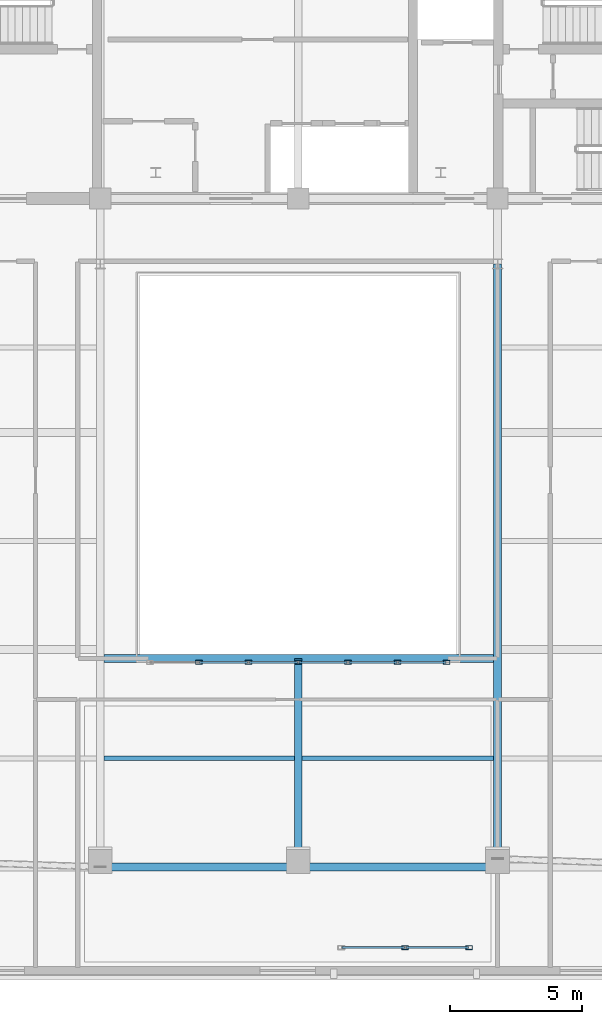
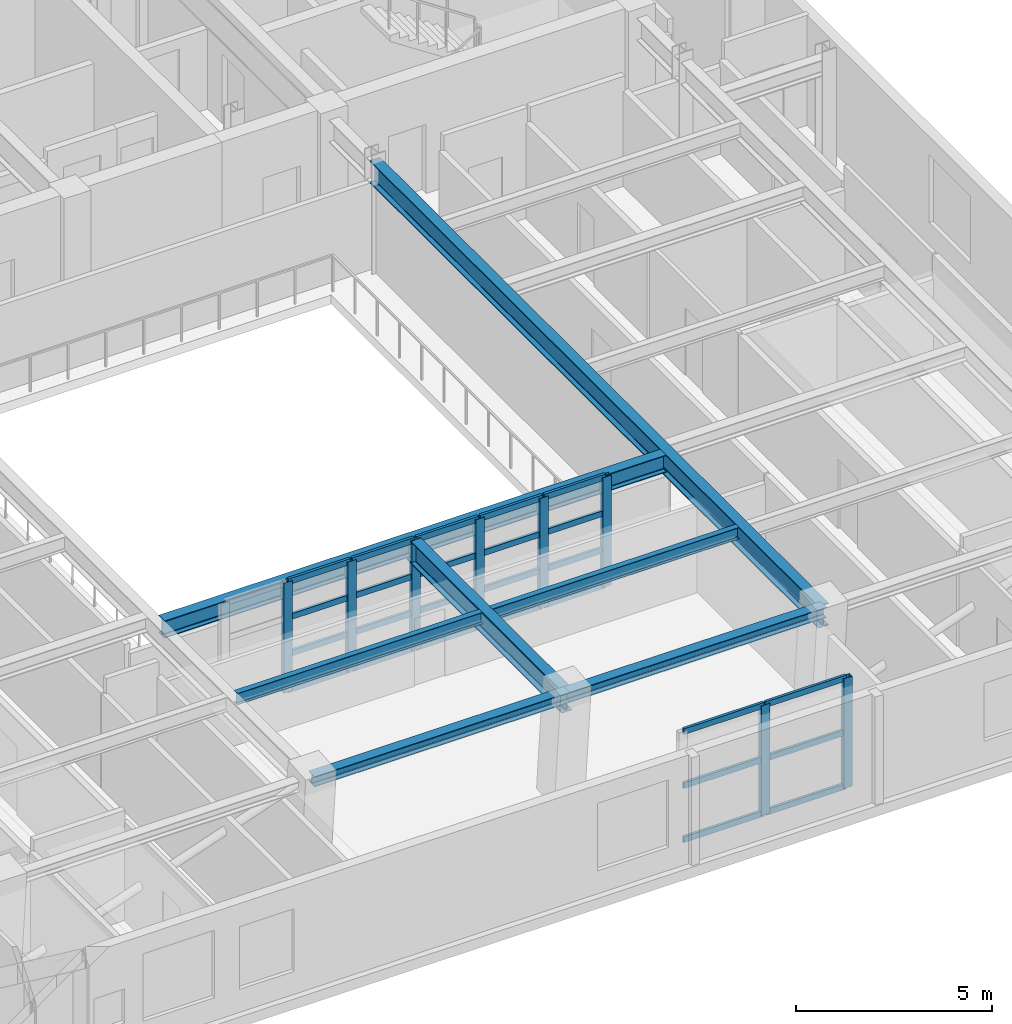
# One storey, part 3 of 14: 34 members, 7 beams, 2 elements without a shape of their own.
"""IFC4 building model written with IfcOpenShell, lengths in metres."""

from ifc_helpers import new_model, si_unit, direction, frame, origin, origin_2d, place, context, subcontext, project, spatial, hollow_rectangle, i_section, extrude, material, layer, layer_set, material_profile, profile_set, type_object, element, aggregate, save


model = new_model("IFC4")

# Units and contexts
model_context = context("Model", 3, precision=1e-05, world=origin(), true_north=direction((0.0, 1.0)))
body_context = subcontext(model_context, "Body", "Model", "MODEL_VIEW")
ifc_project = project(units=[si_unit("LENGTHUNIT", "METRE"), si_unit("AREAUNIT", "SQUARE_METRE"), si_unit("VOLUMEUNIT", "CUBIC_METRE"), si_unit("PLANEANGLEUNIT", "RADIAN"), si_unit("MASSUNIT", "GRAM", prefix="KILO")], contexts=[model_context])

# Site, building, storey
site_placement = place(None, origin())
site = spatial("IfcSite", under=ifc_project, at=site_placement, CompositionType="ELEMENT")
building_placement = place(site_placement, origin())
building = spatial("IfcBuilding", under=site, at=building_placement, Name="Zarnavel Station Tower", CompositionType="ELEMENT")
storey_placement = place(building_placement, frame((0.0, 0.0, 258.39990234375)))
storey = spatial("IfcBuildingStorey", under=building, at=storey_placement, Name="L70", CompositionType="ELEMENT", Elevation=258.39990234375)

# Curtain wall, members
ifc_material_1 = material(Name="Aluminium Dark Anodised and Solar-Control Glass", Category="aluminium")
ifc_layer = layer(ifc_material_1, 0.179931640625)
ifc_layer_set = layer_set([ifc_layer], Name="CWS6")
curtain_wall_type = type_object("IfcCurtainWallType", Name="CWS6", PredefinedType="NOTDEFINED", material=ifc_layer_set)
curtain_wall_1_placement = place(storey_placement, origin())
curtain_wall_1 = element("IfcCurtainWall", 1, at=curtain_wall_1_placement, inside=storey, type_object=curtain_wall_type, Name="L70 Curtain Wall CWS6-LOG-L70", PredefinedType="NOTDEFINED")
ifc_material_2 = material(Name="Steel S355J2 (Black Fluoropolymer Coated)", Category="steel")
ifc_material_profile_1 = material_profile(ifc_material_2, hollow_rectangle(XDim=0.14990234375, YDim=0.25, WallThickness=0.010009765625, at=origin_2d()), Name="RHS250x150x10")
ifc_profile_set_1 = profile_set([ifc_material_profile_1], Name="Steel S355J2 (Black Fluoropolymer Coated)")
member_type_1 = type_object("IfcMemberType", Name="CWS6_MUL", PredefinedType="MULLION", material=ifc_profile_set_1)
member_1_placement = place(storey_placement, frame((32.85009765625, -0.550048828125, 0.0), z_axis=(0.0, 0.0, 1.0), x_axis=(0.0, 1.0, 0.0)))
member_1 = element("IfcMember", 2, at=member_1_placement, type_object=member_type_1, Name="CW6 mullion 2", PredefinedType="MULLION", context=body_context, shape_type="SweptSolid", body=[
    extrude(hollow_rectangle(XDim=0.14990234375, YDim=0.25, WallThickness=0.010009765625, at=origin_2d()), origin(), (0.0, 0.0, 1.0), 3.420166015625),
])
member_2_placement = place(storey_placement, frame((35.27001953125, -0.550048828125, 0.0), z_axis=(0.0, 0.0, 1.0), x_axis=(0.0, 1.0, 0.0)))
member_2 = element("IfcMember", 3, at=member_2_placement, type_object=member_type_1, Name="CW6 mullion 3", PredefinedType="MULLION", context=body_context, shape_type="SweptSolid", body=[
    extrude(hollow_rectangle(XDim=0.14990234375, YDim=0.25, WallThickness=0.010009765625, at=origin_2d()), origin(), (0.0, 0.0, 1.0), 3.420166015625),
])

curtain_wall_2_placement = place(storey_placement, origin())
curtain_wall_2 = element("IfcCurtainWall", 4, at=curtain_wall_2_placement, inside=storey, type_object=curtain_wall_type, Name="L70 Curtain Wall CWS6-L70-AS", PredefinedType="NOTDEFINED")
member_3_placement = place(storey_placement, frame((25.033447265625, 10.25, 0.0), z_axis=(0.0, 0.0, 1.0), x_axis=(0.0, 1.0, 0.0)))
member_3 = element("IfcMember", 5, at=member_3_placement, type_object=member_type_1, Name="CW6 mullion 2", PredefinedType="MULLION", context=body_context, shape_type="SweptSolid", body=[
    extrude(hollow_rectangle(XDim=0.14990234375, YDim=0.25, WallThickness=0.010009765625, at=origin_2d()), origin(), (0.0, 0.0, 1.0), 3.420166015625),
])
member_4_placement = place(storey_placement, frame((26.916748046875, 10.25, 0.0), z_axis=(0.0, 0.0, 1.0), x_axis=(0.0, 1.0, 0.0)))
member_4 = element("IfcMember", 6, at=member_4_placement, type_object=member_type_1, Name="CW6 mullion 3", PredefinedType="MULLION", context=body_context, shape_type="SweptSolid", body=[
    extrude(hollow_rectangle(XDim=0.14990234375, YDim=0.25, WallThickness=0.010009765625, at=origin_2d()), origin(), (0.0, 0.0, 1.0), 3.420166015625),
])
member_5_placement = place(storey_placement, frame((28.800048828125, 10.25, 0.0), z_axis=(0.0, 0.0, 1.0), x_axis=(0.0, 1.0, 0.0)))
member_5 = element("IfcMember", 7, at=member_5_placement, type_object=member_type_1, Name="CW6 mullion 4", PredefinedType="MULLION", context=body_context, shape_type="SweptSolid", body=[
    extrude(hollow_rectangle(XDim=0.14990234375, YDim=0.25, WallThickness=0.010009765625, at=origin_2d()), origin(), (0.0, 0.0, 1.0), 3.420166015625),
])
member_6_placement = place(storey_placement, frame((30.683349609375, 10.25, 0.0), z_axis=(0.0, 0.0, 1.0), x_axis=(0.0, 1.0, 0.0)))
member_6 = element("IfcMember", 8, at=member_6_placement, type_object=member_type_1, Name="CW6 mullion 5", PredefinedType="MULLION", context=body_context, shape_type="SweptSolid", body=[
    extrude(hollow_rectangle(XDim=0.14990234375, YDim=0.25, WallThickness=0.010009765625, at=origin_2d()), origin(), (0.0, 0.0, 1.0), 3.420166015625),
])
member_7_placement = place(storey_placement, frame((32.566650390625, 10.25, 0.0), z_axis=(0.0, 0.0, 1.0), x_axis=(0.0, 1.0, 0.0)))
member_7 = element("IfcMember", 9, at=member_7_placement, type_object=member_type_1, Name="CW6 mullion 6", PredefinedType="MULLION", context=body_context, shape_type="SweptSolid", body=[
    extrude(hollow_rectangle(XDim=0.14990234375, YDim=0.25, WallThickness=0.010009765625, at=origin_2d()), origin(), (0.0, 0.0, 1.0), 3.420166015625),
])
member_8_placement = place(storey_placement, frame((34.419921875, 10.25, 0.0), z_axis=(0.0, 0.0, 1.0), x_axis=(0.0, 1.0, 0.0)))
member_8 = element("IfcMember", 10, at=member_8_placement, type_object=member_type_1, Name="CW6 mullion 7", PredefinedType="MULLION", context=body_context, shape_type="SweptSolid", body=[
    extrude(hollow_rectangle(XDim=0.14990234375, YDim=0.25, WallThickness=0.010009765625, at=origin_2d()), origin(), (0.0, 0.0, 1.0), 3.420166015625),
])

# Member
ifc_material_3 = material(Name="Steel S355J2 (Black Fluoropolymer Coated)", Category="steel")
ifc_material_profile_2 = material_profile(ifc_material_3, hollow_rectangle(XDim=0.080078125, YDim=0.179931640625, WallThickness=0.00634765625, at=origin_2d()), Name="RHS180x80x6.3")
ifc_profile_set_2 = profile_set([ifc_material_profile_2], Name="Steel S355J2 (Black Fluoropolymer Coated)")
member_type_2 = type_object("IfcMemberType", Name="CWS6_TRN", PredefinedType="USERDEFINED", material=ifc_profile_set_2)
member_9_placement = place(storey_placement, frame((30.4599609375, -0.550048828125, 0.030029296875), z_axis=(1.0, 0.0, 0.0), x_axis=(0.0, 1.0, 0.0)))
member_9 = element("IfcMember", 11, at=member_9_placement, type_object=member_type_2, Name="CW6 transom 1.1", ObjectType="TRANSOM", PredefinedType="USERDEFINED", context=body_context, shape_type="SweptSolid", body=[
    extrude(hollow_rectangle(XDim=0.080078125, YDim=0.179931640625, WallThickness=0.00634765625, at=origin_2d()), origin(), (0.0, 0.0, 1.0), 2.360107421875),
])

member_10_placement = place(storey_placement, frame((30.4599609375, -0.550048828125, 1.710205078125), z_axis=(1.0, 0.0, 0.0), x_axis=(0.0, 1.0, 0.0)))
member_10 = element("IfcMember", 12, at=member_10_placement, type_object=member_type_2, Name="CW6 transom 1.2", ObjectType="TRANSOM", PredefinedType="USERDEFINED", context=body_context, shape_type="SweptSolid", body=[
    extrude(hollow_rectangle(XDim=0.080078125, YDim=0.179931640625, WallThickness=0.00634765625, at=origin_2d()), origin(), (0.0, 0.0, 1.0), 2.360107421875),
])

member_11_placement = place(storey_placement, frame((30.4599609375, -0.550048828125, 3.39013671875), z_axis=(1.0, 0.0, 0.0), x_axis=(0.0, 1.0, 0.0)))
member_11 = element("IfcMember", 13, at=member_11_placement, type_object=member_type_2, Name="CW6 transom 1.3", ObjectType="TRANSOM", PredefinedType="USERDEFINED", context=body_context, shape_type="SweptSolid", body=[
    extrude(hollow_rectangle(XDim=0.080078125, YDim=0.179931640625, WallThickness=0.00634765625, at=origin_2d()), origin(), (0.0, 0.0, 1.0), 2.360107421875),
])

member_12_placement = place(storey_placement, frame((32.8798828125, -0.550048828125, 0.030029296875), z_axis=(1.0, 0.0, 0.0), x_axis=(0.0, 1.0, 0.0)))
member_12 = element("IfcMember", 14, at=member_12_placement, type_object=member_type_2, Name="CW6 transom 2.1", ObjectType="TRANSOM", PredefinedType="USERDEFINED", context=body_context, shape_type="SweptSolid", body=[
    extrude(hollow_rectangle(XDim=0.080078125, YDim=0.179931640625, WallThickness=0.00634765625, at=origin_2d()), origin(), (0.0, 0.0, 1.0), 2.360107421875),
])

member_13_placement = place(storey_placement, frame((32.8798828125, -0.550048828125, 1.710205078125), z_axis=(1.0, 0.0, 0.0), x_axis=(0.0, 1.0, 0.0)))
member_13 = element("IfcMember", 15, at=member_13_placement, type_object=member_type_2, Name="CW6 transom 2.2", ObjectType="TRANSOM", PredefinedType="USERDEFINED", context=body_context, shape_type="SweptSolid", body=[
    extrude(hollow_rectangle(XDim=0.080078125, YDim=0.179931640625, WallThickness=0.00634765625, at=origin_2d()), origin(), (0.0, 0.0, 1.0), 2.360107421875),
])

member_14_placement = place(storey_placement, frame((32.8798828125, -0.550048828125, 3.39013671875), z_axis=(1.0, 0.0, 0.0), x_axis=(0.0, 1.0, 0.0)))
member_14 = element("IfcMember", 16, at=member_14_placement, type_object=member_type_2, Name="CW6 transom 2.3", ObjectType="TRANSOM", PredefinedType="USERDEFINED", context=body_context, shape_type="SweptSolid", body=[
    extrude(hollow_rectangle(XDim=0.080078125, YDim=0.179931640625, WallThickness=0.00634765625, at=origin_2d()), origin(), (0.0, 0.0, 1.0), 2.360107421875),
])

aggregate(curtain_wall_1, [member_1, member_2, member_9, member_10, member_11, member_12, member_13, member_14])

member_15_placement = place(storey_placement, frame((25.063232421875, 10.25, 0.030029296875), z_axis=(1.0, 0.0, 0.0), x_axis=(0.0, 1.0, 0.0)))
member_15 = element("IfcMember", 17, at=member_15_placement, type_object=member_type_2, Name="CW6 transom 2.1", ObjectType="TRANSOM", PredefinedType="USERDEFINED", context=body_context, shape_type="SweptSolid", body=[
    extrude(hollow_rectangle(XDim=0.080078125, YDim=0.179931640625, WallThickness=0.00634765625, at=origin_2d()), origin(), (0.0, 0.0, 1.0), 1.823486328125),
])

member_16_placement = place(storey_placement, frame((25.063232421875, 10.25, 1.14013671875), z_axis=(1.0, 0.0, 0.0), x_axis=(0.0, 1.0, 0.0)))
member_16 = element("IfcMember", 18, at=member_16_placement, type_object=member_type_2, Name="CW6 transom 2.2", ObjectType="TRANSOM", PredefinedType="USERDEFINED", context=body_context, shape_type="SweptSolid", body=[
    extrude(hollow_rectangle(XDim=0.080078125, YDim=0.179931640625, WallThickness=0.00634765625, at=origin_2d()), origin(), (0.0, 0.0, 1.0), 1.823486328125),
])

member_17_placement = place(storey_placement, frame((25.063232421875, 10.25, 2.280029296875), z_axis=(1.0, 0.0, 0.0), x_axis=(0.0, 1.0, 0.0)))
member_17 = element("IfcMember", 19, at=member_17_placement, type_object=member_type_2, Name="CW6 transom 2.3", ObjectType="TRANSOM", PredefinedType="USERDEFINED", context=body_context, shape_type="SweptSolid", body=[
    extrude(hollow_rectangle(XDim=0.080078125, YDim=0.179931640625, WallThickness=0.00634765625, at=origin_2d()), origin(), (0.0, 0.0, 1.0), 1.823486328125),
])

member_18_placement = place(storey_placement, frame((25.063232421875, 10.25, 3.39013671875), z_axis=(1.0, 0.0, 0.0), x_axis=(0.0, 1.0, 0.0)))
member_18 = element("IfcMember", 20, at=member_18_placement, type_object=member_type_2, Name="CW6 transom 2.4", ObjectType="TRANSOM", PredefinedType="USERDEFINED", context=body_context, shape_type="SweptSolid", body=[
    extrude(hollow_rectangle(XDim=0.080078125, YDim=0.179931640625, WallThickness=0.00634765625, at=origin_2d()), origin(), (0.0, 0.0, 1.0), 1.823486328125),
])

member_19_placement = place(storey_placement, frame((26.94677734375, 10.25, 0.030029296875), z_axis=(1.0, 0.0, 0.0), x_axis=(0.0, 1.0, 0.0)))
member_19 = element("IfcMember", 21, at=member_19_placement, type_object=member_type_2, Name="CW6 transom 3.1", ObjectType="TRANSOM", PredefinedType="USERDEFINED", context=body_context, shape_type="SweptSolid", body=[
    extrude(hollow_rectangle(XDim=0.080078125, YDim=0.179931640625, WallThickness=0.00634765625, at=origin_2d()), origin(), (0.0, 0.0, 1.0), 1.8232421875),
])

member_20_placement = place(storey_placement, frame((26.94677734375, 10.25, 1.14013671875), z_axis=(1.0, 0.0, 0.0), x_axis=(0.0, 1.0, 0.0)))
member_20 = element("IfcMember", 22, at=member_20_placement, type_object=member_type_2, Name="CW6 transom 3.2", ObjectType="TRANSOM", PredefinedType="USERDEFINED", context=body_context, shape_type="SweptSolid", body=[
    extrude(hollow_rectangle(XDim=0.080078125, YDim=0.179931640625, WallThickness=0.00634765625, at=origin_2d()), origin(), (0.0, 0.0, 1.0), 1.8232421875),
])

member_21_placement = place(storey_placement, frame((26.94677734375, 10.25, 2.280029296875), z_axis=(1.0, 0.0, 0.0), x_axis=(0.0, 1.0, 0.0)))
member_21 = element("IfcMember", 23, at=member_21_placement, type_object=member_type_2, Name="CW6 transom 3.3", ObjectType="TRANSOM", PredefinedType="USERDEFINED", context=body_context, shape_type="SweptSolid", body=[
    extrude(hollow_rectangle(XDim=0.080078125, YDim=0.179931640625, WallThickness=0.00634765625, at=origin_2d()), origin(), (0.0, 0.0, 1.0), 1.8232421875),
])

member_22_placement = place(storey_placement, frame((26.94677734375, 10.25, 3.39013671875), z_axis=(1.0, 0.0, 0.0), x_axis=(0.0, 1.0, 0.0)))
member_22 = element("IfcMember", 24, at=member_22_placement, type_object=member_type_2, Name="CW6 transom 3.4", ObjectType="TRANSOM", PredefinedType="USERDEFINED", context=body_context, shape_type="SweptSolid", body=[
    extrude(hollow_rectangle(XDim=0.080078125, YDim=0.179931640625, WallThickness=0.00634765625, at=origin_2d()), origin(), (0.0, 0.0, 1.0), 1.8232421875),
])

member_23_placement = place(storey_placement, frame((28.830078125, 10.25, 0.030029296875), z_axis=(1.0, 0.0, 0.0), x_axis=(0.0, 1.0, 0.0)))
member_23 = element("IfcMember", 25, at=member_23_placement, type_object=member_type_2, Name="CW6 transom 4.1", ObjectType="TRANSOM", PredefinedType="USERDEFINED", context=body_context, shape_type="SweptSolid", body=[
    extrude(hollow_rectangle(XDim=0.080078125, YDim=0.179931640625, WallThickness=0.00634765625, at=origin_2d()), origin(), (0.0, 0.0, 1.0), 1.8232421875),
])

member_24_placement = place(storey_placement, frame((28.830078125, 10.25, 1.14013671875), z_axis=(1.0, 0.0, 0.0), x_axis=(0.0, 1.0, 0.0)))
member_24 = element("IfcMember", 26, at=member_24_placement, type_object=member_type_2, Name="CW6 transom 4.2", ObjectType="TRANSOM", PredefinedType="USERDEFINED", context=body_context, shape_type="SweptSolid", body=[
    extrude(hollow_rectangle(XDim=0.080078125, YDim=0.179931640625, WallThickness=0.00634765625, at=origin_2d()), origin(), (0.0, 0.0, 1.0), 1.8232421875),
])

member_25_placement = place(storey_placement, frame((28.830078125, 10.25, 2.280029296875), z_axis=(1.0, 0.0, 0.0), x_axis=(0.0, 1.0, 0.0)))
member_25 = element("IfcMember", 27, at=member_25_placement, type_object=member_type_2, Name="CW6 transom 4.3", ObjectType="TRANSOM", PredefinedType="USERDEFINED", context=body_context, shape_type="SweptSolid", body=[
    extrude(hollow_rectangle(XDim=0.080078125, YDim=0.179931640625, WallThickness=0.00634765625, at=origin_2d()), origin(), (0.0, 0.0, 1.0), 1.8232421875),
])

member_26_placement = place(storey_placement, frame((28.830078125, 10.25, 3.39013671875), z_axis=(1.0, 0.0, 0.0), x_axis=(0.0, 1.0, 0.0)))
member_26 = element("IfcMember", 28, at=member_26_placement, type_object=member_type_2, Name="CW6 transom 4.4", ObjectType="TRANSOM", PredefinedType="USERDEFINED", context=body_context, shape_type="SweptSolid", body=[
    extrude(hollow_rectangle(XDim=0.080078125, YDim=0.179931640625, WallThickness=0.00634765625, at=origin_2d()), origin(), (0.0, 0.0, 1.0), 1.8232421875),
])

member_27_placement = place(storey_placement, frame((30.71337890625, 10.25, 0.030029296875), z_axis=(1.0, 0.0, 0.0), x_axis=(0.0, 1.0, 0.0)))
member_27 = element("IfcMember", 29, at=member_27_placement, type_object=member_type_2, Name="CW6 transom 5.1", ObjectType="TRANSOM", PredefinedType="USERDEFINED", context=body_context, shape_type="SweptSolid", body=[
    extrude(hollow_rectangle(XDim=0.080078125, YDim=0.179931640625, WallThickness=0.00634765625, at=origin_2d()), origin(), (0.0, 0.0, 1.0), 1.8232421875),
])

member_28_placement = place(storey_placement, frame((30.71337890625, 10.25, 1.14013671875), z_axis=(1.0, 0.0, 0.0), x_axis=(0.0, 1.0, 0.0)))
member_28 = element("IfcMember", 30, at=member_28_placement, type_object=member_type_2, Name="CW6 transom 5.2", ObjectType="TRANSOM", PredefinedType="USERDEFINED", context=body_context, shape_type="SweptSolid", body=[
    extrude(hollow_rectangle(XDim=0.080078125, YDim=0.179931640625, WallThickness=0.00634765625, at=origin_2d()), origin(), (0.0, 0.0, 1.0), 1.8232421875),
])

member_29_placement = place(storey_placement, frame((30.71337890625, 10.25, 2.280029296875), z_axis=(1.0, 0.0, 0.0), x_axis=(0.0, 1.0, 0.0)))
member_29 = element("IfcMember", 31, at=member_29_placement, type_object=member_type_2, Name="CW6 transom 5.3", ObjectType="TRANSOM", PredefinedType="USERDEFINED", context=body_context, shape_type="SweptSolid", body=[
    extrude(hollow_rectangle(XDim=0.080078125, YDim=0.179931640625, WallThickness=0.00634765625, at=origin_2d()), origin(), (0.0, 0.0, 1.0), 1.8232421875),
])

member_30_placement = place(storey_placement, frame((30.71337890625, 10.25, 3.39013671875), z_axis=(1.0, 0.0, 0.0), x_axis=(0.0, 1.0, 0.0)))
member_30 = element("IfcMember", 32, at=member_30_placement, type_object=member_type_2, Name="CW6 transom 5.4", ObjectType="TRANSOM", PredefinedType="USERDEFINED", context=body_context, shape_type="SweptSolid", body=[
    extrude(hollow_rectangle(XDim=0.080078125, YDim=0.179931640625, WallThickness=0.00634765625, at=origin_2d()), origin(), (0.0, 0.0, 1.0), 1.8232421875),
])

member_31_placement = place(storey_placement, frame((32.5966796875, 10.25, 0.030029296875), z_axis=(1.0, 0.0, 0.0), x_axis=(0.0, 1.0, 0.0)))
member_31 = element("IfcMember", 33, at=member_31_placement, type_object=member_type_2, Name="CW6 transom 6.1", ObjectType="TRANSOM", PredefinedType="USERDEFINED", context=body_context, shape_type="SweptSolid", body=[
    extrude(hollow_rectangle(XDim=0.080078125, YDim=0.179931640625, WallThickness=0.00634765625, at=origin_2d()), origin(), (0.0, 0.0, 1.0), 1.793212890625),
])

member_32_placement = place(storey_placement, frame((32.5966796875, 10.25, 1.14013671875), z_axis=(1.0, 0.0, 0.0), x_axis=(0.0, 1.0, 0.0)))
member_32 = element("IfcMember", 34, at=member_32_placement, type_object=member_type_2, Name="CW6 transom 6.2", ObjectType="TRANSOM", PredefinedType="USERDEFINED", context=body_context, shape_type="SweptSolid", body=[
    extrude(hollow_rectangle(XDim=0.080078125, YDim=0.179931640625, WallThickness=0.00634765625, at=origin_2d()), origin(), (0.0, 0.0, 1.0), 1.793212890625),
])

member_33_placement = place(storey_placement, frame((32.5966796875, 10.25, 2.280029296875), z_axis=(1.0, 0.0, 0.0), x_axis=(0.0, 1.0, 0.0)))
member_33 = element("IfcMember", 35, at=member_33_placement, type_object=member_type_2, Name="CW6 transom 6.3", ObjectType="TRANSOM", PredefinedType="USERDEFINED", context=body_context, shape_type="SweptSolid", body=[
    extrude(hollow_rectangle(XDim=0.080078125, YDim=0.179931640625, WallThickness=0.00634765625, at=origin_2d()), origin(), (0.0, 0.0, 1.0), 1.793212890625),
])

member_34_placement = place(storey_placement, frame((32.5966796875, 10.25, 3.39013671875), z_axis=(1.0, 0.0, 0.0), x_axis=(0.0, 1.0, 0.0)))
member_34 = element("IfcMember", 36, at=member_34_placement, type_object=member_type_2, Name="CW6 transom 6.4", ObjectType="TRANSOM", PredefinedType="USERDEFINED", context=body_context, shape_type="SweptSolid", body=[
    extrude(hollow_rectangle(XDim=0.080078125, YDim=0.179931640625, WallThickness=0.00634765625, at=origin_2d()), origin(), (0.0, 0.0, 1.0), 1.793212890625),
])

aggregate(curtain_wall_2, [member_3, member_4, member_5, member_6, member_7, member_8, member_15, member_16, member_17, member_18, member_19, member_20, member_21, member_22, member_23, member_24, member_25, member_26, member_27, member_28, member_29, member_30, member_31, member_32, member_33, member_34])

# Beams
ifc_material_4 = material(Name="Steel S355J2", Category="steel")
ifc_material_profile_3 = material_profile(ifc_material_4, i_section(OverallWidth=0.300048828125, OverallDepth=0.320068359375, WebThickness=0.011474609375, FlangeThickness=0.0205078125, FilletRadius=0.027099609375, at=origin_2d()), Name="HEB320")
ifc_profile_set_3 = profile_set([ifc_material_profile_3], Name="Steel S355J2")
beam_type_1 = type_object("IfcBeamType", Name="EB_HEB320", PredefinedType="SPANDREL", material=ifc_profile_set_3)
beam_1_placement = place(storey_placement, frame((21.300048828125, 2.501708984375, 3.260009765625), z_axis=(1.0, 0.0, 0.0), x_axis=(0.0, 1.0, 0.0)))
element("IfcBeam", 37, at=beam_1_placement, inside=storey, type_object=beam_type_1, Name="L70 South Raked Spandrel 2", PredefinedType="SPANDREL", context=body_context, shape_type="SweptSolid", body=[
    extrude(i_section(OverallWidth=0.300048828125, OverallDepth=0.320068359375, WebThickness=0.011474609375, FlangeThickness=0.0205078125, FilletRadius=0.027099609375, at=origin_2d()), origin(), (0.0, 0.0, 1.0), 7.5),
])
beam_2_placement = place(storey_placement, frame((28.800048828125, 2.501708984375, 3.260009765625), z_axis=(1.0, 0.0, 0.0), x_axis=(0.0, 1.0, 0.0)))
element("IfcBeam", 38, at=beam_2_placement, inside=storey, type_object=beam_type_1, Name="L70 South Raked Spandrel 3", PredefinedType="SPANDREL", context=body_context, shape_type="SweptSolid", body=[
    extrude(i_section(OverallWidth=0.300048828125, OverallDepth=0.320068359375, WebThickness=0.011474609375, FlangeThickness=0.0205078125, FilletRadius=0.027099609375, at=origin_2d()), origin(), (0.0, 0.0, 1.0), 7.550048828125),
])
ifc_material_5 = material(Name="Steel S355J2", Category="steel")
ifc_material_profile_4 = material_profile(ifc_material_5, i_section(OverallWidth=0.300048828125, OverallDepth=0.5400390625, WebThickness=0.012451171875, FlangeThickness=0.02392578125, FilletRadius=0.027099609375, at=origin_2d()), Name="HEA550")
ifc_profile_set_4 = profile_set([ifc_material_profile_4], Name="Steel S355J2")
beam_type_2 = type_object("IfcBeamType", Name="FB_HEA550", PredefinedType="BEAM", material=ifc_profile_set_4)
beam_3_placement = place(storey_placement, frame((21.445068359375, 10.39990234375, 3.150146484375), z_axis=(1.0, 0.0, 0.0), x_axis=(0.0, 1.0, 0.0)))
element("IfcBeam", 39, at=beam_3_placement, inside=storey, type_object=beam_type_2, Name="L70 Atrium South Edge Girder", PredefinedType="BEAM", context=body_context, shape_type="SweptSolid", body=[
    extrude(i_section(OverallWidth=0.300048828125, OverallDepth=0.5400390625, WebThickness=0.012451171875, FlangeThickness=0.02392578125, FilletRadius=0.027099609375, at=origin_2d()), origin(), (0.0, 0.0, 1.0), 14.760009765625),
])
ifc_material_6 = material(Name="Steel S355J2", Category="steel")
ifc_material_profile_5 = material_profile(ifc_material_6, i_section(OverallWidth=0.300048828125, OverallDepth=0.699951171875, WebThickness=0.01708984375, FlangeThickness=0.031982421875, FilletRadius=0.027099609375, at=origin_2d()), Name="HEB700")
ifc_profile_set_5 = profile_set([ifc_material_profile_5], Name="Steel S355J2")
beam_type_3 = type_object("IfcBeamType", Name="FG_HEB700", PredefinedType="USERDEFINED", material=ifc_profile_set_5)
beam_4_placement = place(storey_placement, frame((28.800048828125, 2.501708984375, 3.070068359375), z_axis=(0.0, 1.0, 0.0), x_axis=(-1.0, 0.0, 0.0)))
element("IfcBeam", 40, at=beam_4_placement, inside=storey, type_object=beam_type_3, Name="L70 Central Atrium-South Girder", ObjectType="GIRDER", PredefinedType="USERDEFINED", context=body_context, shape_type="SweptSolid", body=[
    extrude(i_section(OverallWidth=0.300048828125, OverallDepth=0.699951171875, WebThickness=0.01708984375, FlangeThickness=0.031982421875, FilletRadius=0.027099609375, at=origin_2d()), origin(), (0.0, 0.0, 1.0), 7.898193359375),
])
beam_5_placement = place(storey_placement, frame((36.35009765625, 2.501708984375, 3.070068359375), z_axis=(0.0, 1.0, 0.0), x_axis=(-1.0, 0.0, 0.0)))
element("IfcBeam", 41, at=beam_5_placement, inside=storey, type_object=beam_type_3, Name="L70 South-Zone NS Girder 4", ObjectType="GIRDER", PredefinedType="USERDEFINED", context=body_context, shape_type="SweptSolid", body=[
    extrude(i_section(OverallWidth=0.300048828125, OverallDepth=0.699951171875, WebThickness=0.01708984375, FlangeThickness=0.031982421875, FilletRadius=0.027099609375, at=origin_2d()), origin(), (0.0, 0.0, 1.0), 22.848388671875),
])
ifc_material_7 = material(Name="Steel S355J2", Category="steel")
ifc_material_profile_6 = material_profile(ifc_material_7, i_section(OverallWidth=0.169921875, OverallDepth=0.360107421875, WebThickness=0.008056640625, FlangeThickness=0.0126953125, FilletRadius=0.01806640625, at=origin_2d()), Name="IPE360")
ifc_profile_set_6 = profile_set([ifc_material_profile_6], Name="Steel S355J2")
beam_type_4 = type_object("IfcBeamType", Name="FJ_IPE360", PredefinedType="JOIST", material=ifc_profile_set_6)
beam_6_placement = place(storey_placement, frame((21.445068359375, 6.6181640625, 3.239990234375), z_axis=(1.0, 0.0, 0.0), x_axis=(0.0, 1.0, 0.0)))
element("IfcBeam", 42, at=beam_6_placement, inside=storey, type_object=beam_type_4, Name="L70 Mid-West Joist 1", PredefinedType="JOIST", context=body_context, shape_type="SweptSolid", body=[
    extrude(i_section(OverallWidth=0.169921875, OverallDepth=0.360107421875, WebThickness=0.008056640625, FlangeThickness=0.0126953125, FilletRadius=0.01806640625, at=origin_2d()), origin(), (0.0, 0.0, 1.0), 7.2099609375),
])
beam_7_placement = place(storey_placement, frame((28.945068359375, 6.6181640625, 3.239990234375), z_axis=(1.0, 0.0, 0.0), x_axis=(0.0, 1.0, 0.0)))
element("IfcBeam", 43, at=beam_7_placement, inside=storey, type_object=beam_type_4, Name="L70 Mid-East Joist 1", PredefinedType="JOIST", context=body_context, shape_type="SweptSolid", body=[
    extrude(i_section(OverallWidth=0.169921875, OverallDepth=0.360107421875, WebThickness=0.008056640625, FlangeThickness=0.0126953125, FilletRadius=0.01806640625, at=origin_2d()), origin(), (0.0, 0.0, 1.0), 7.260009765625),
])

save(model, "model.ifc")
